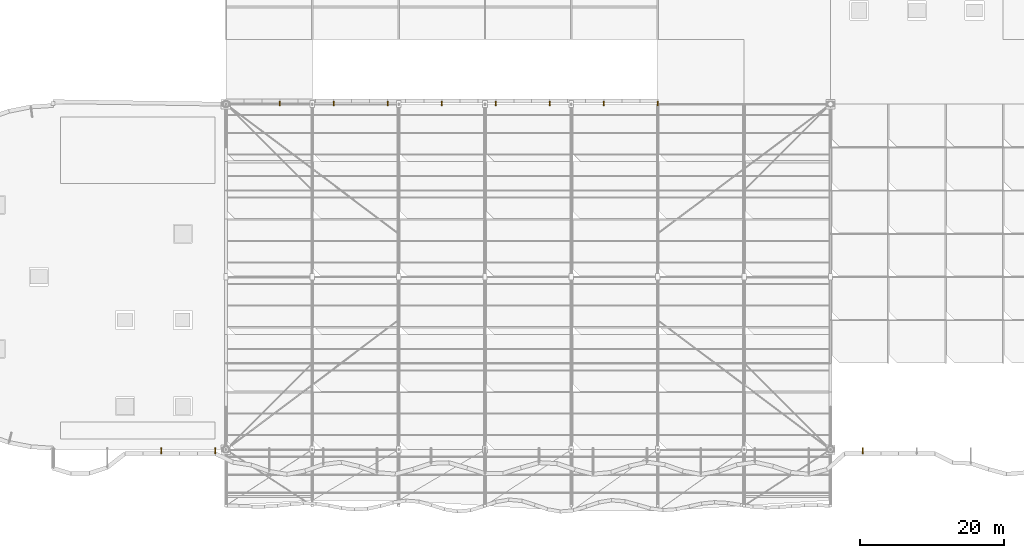
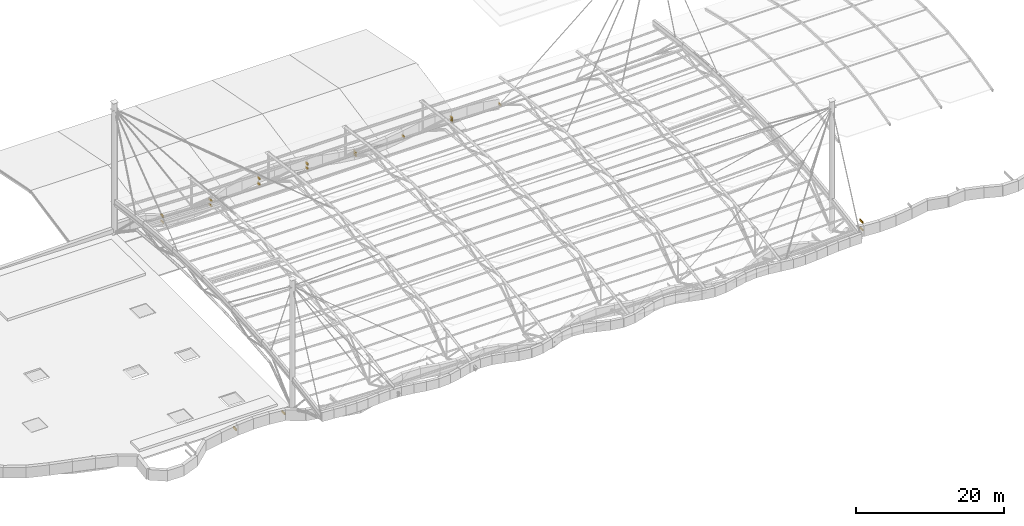
# One storey, part 28 of 29: 18 coverings.
"""IFC4 building model written with IfcOpenShell, lengths in metres."""

from ifc_helpers import new_model, si_unit, direction, frame, frame_2d, origin, place, context, subcontext, project, spatial, rectangle, extrude, material, layer, layer_set, type_object, element, save


model = new_model("IFC4")

# Units and contexts
model_context = context("Model", 3, precision=1e-05, world=origin(), true_north=direction((0.0, 1.0)))
body_context = subcontext(model_context, "Body", "Model", "MODEL_VIEW")
ifc_project = project(units=[si_unit("LENGTHUNIT", "METRE"), si_unit("AREAUNIT", "SQUARE_METRE"), si_unit("VOLUMEUNIT", "CUBIC_METRE"), si_unit("PLANEANGLEUNIT", "RADIAN"), si_unit("MASSUNIT", "GRAM", prefix="KILO")], contexts=[model_context])

# Site, building, storey
site_placement = place(None, origin())
site = spatial("IfcSite", under=ifc_project, at=site_placement, CompositionType="ELEMENT")
building_placement = place(site_placement, origin())
building = spatial("IfcBuilding", under=site, at=building_placement, Name="Keelwater Ferry Terminal", CompositionType="ELEMENT")
storey_placement = place(building_placement, frame((0.0, 0.0, 27.89990234375)))
storey = spatial("IfcBuildingStorey", under=building, at=storey_placement, Name="RF", CompositionType="ELEMENT", Elevation=27.89990234375)

# Coverings
ifc_material = material(Name="Matte white architectural aluminium fascia ribbon", Category="aluminium")
ifc_layer = layer(ifc_material, 0.1201171875)
ifc_layer_set = layer_set([ifc_layer], Name="Matte white architectural aluminium fascia ribbon")
covering_type = type_object("IfcCoveringType", Name="RB-WHT Matte White Fascia Ribbon", PredefinedType="CLADDING", material=ifc_layer_set)
covering_1_placement = place(storey_placement, frame((108.0, 90.419921875, -13.119873046875), z_axis=(0.0, 0.0, 1.0), x_axis=(0.0, -1.0, 0.0)))
element("IfcCovering", 1, at=covering_1_placement, inside=storey, type_object=covering_type, Name="Ribbon Roof Eave Tie Bracket 10", PredefinedType="CLADDING", context=body_context, shape_type="SweptSolid", body=[
    extrude(rectangle(XDim=0.669921875, YDim=0.159912109375, at=frame_2d((0.3349609375, 0.0))), origin(), (0.0, 0.0, 1.0), 0.340087890625),
])
covering_2_placement = place(storey_placement, frame((100.5, 90.419921875, -12.6337890625), z_axis=(0.0, 0.0, 1.0), x_axis=(0.0, -1.0, 0.0)))
element("IfcCovering", 2, at=covering_2_placement, inside=storey, type_object=covering_type, Name="Ribbon Horizontal Tie Bracket 26", PredefinedType="CLADDING", context=body_context, shape_type="SweptSolid", body=[
    extrude(rectangle(XDim=0.669921875, YDim=0.159912109375, at=frame_2d((0.3349609375, 0.0))), origin(), (0.0, 0.0, 1.0), 0.27978515625),
])
for number, where, z_axis, x_axis, name in (
    (3, (100.5, 90.419921875, -13.119873046875), (0.0, 0.0, 1.0), (0.0, -1.0, 0.0), "Ribbon Roof Eave Tie Bracket 29"),
    (4, (93.0, 90.419921875, -13.119873046875), (0.0, 0.0, 1.0), (0.0, -1.0, 0.0), "Ribbon Roof Eave Tie Bracket 48"),
):
    element("IfcCovering", number, at=place(storey_placement, frame(where, z_axis=z_axis, x_axis=x_axis)), inside=storey, type_object=covering_type, Name=name, PredefinedType="CLADDING", context=body_context, shape_type="SweptSolid", body=[
        extrude(rectangle(XDim=0.669921875, YDim=0.159912109375, at=frame_2d((0.3349609375, 0.0))), origin(), (0.0, 0.0, 1.0), 0.340087890625),
    ])
covering_3_placement = place(storey_placement, frame((85.5, 90.419921875, -13.536865234375), z_axis=(0.0, 0.0, 1.0), x_axis=(0.0, -1.0, 0.0)))
element("IfcCovering", 5, at=covering_3_placement, inside=storey, type_object=covering_type, Name="Ribbon Horizontal Tie Bracket 65", PredefinedType="CLADDING", context=body_context, shape_type="SweptSolid", body=[
    extrude(rectangle(XDim=0.669921875, YDim=0.159912109375, at=frame_2d((0.3349609375, 0.0))), origin(), (0.0, 0.0, 1.0), 0.280029296875),
])
covering_4_placement = place(storey_placement, frame((85.5, 90.419921875, -13.119873046875), z_axis=(0.0, 0.0, 1.0), x_axis=(0.0, -1.0, 0.0)))
element("IfcCovering", 6, at=covering_4_placement, inside=storey, type_object=covering_type, Name="Ribbon Roof Eave Tie Bracket 68", PredefinedType="CLADDING", context=body_context, shape_type="SweptSolid", body=[
    extrude(rectangle(XDim=0.669921875, YDim=0.159912109375, at=frame_2d((0.3349609375, 0.0))), origin(), (0.0, 0.0, 1.0), 0.340087890625),
])
covering_5_placement = place(storey_placement, frame((78.0, 90.419921875, -12.3369140625), z_axis=(0.0, 0.0, 1.0), x_axis=(0.0, -1.0, 0.0)))
element("IfcCovering", 7, at=covering_5_placement, inside=storey, type_object=covering_type, Name="Ribbon Horizontal Tie Bracket 83", PredefinedType="CLADDING", context=body_context, shape_type="SweptSolid", body=[
    extrude(rectangle(XDim=0.669921875, YDim=0.159912109375, at=frame_2d((0.3349609375, 0.0))), origin(), (0.0, 0.0, 1.0), 0.280029296875),
])
covering_6_placement = place(storey_placement, frame((78.0, 90.419921875, -13.119873046875), z_axis=(0.0, 0.0, 1.0), x_axis=(0.0, -1.0, 0.0)))
element("IfcCovering", 8, at=covering_6_placement, inside=storey, type_object=covering_type, Name="Ribbon Roof Eave Tie Bracket 86", PredefinedType="CLADDING", context=body_context, shape_type="SweptSolid", body=[
    extrude(rectangle(XDim=0.669921875, YDim=0.159912109375, at=frame_2d((0.3349609375, 0.0))), origin(), (0.0, 0.0, 1.0), 0.340087890625),
])
covering_7_placement = place(storey_placement, frame((70.5, 90.419921875, -12.101806640625), z_axis=(0.0, 0.0, 1.0), x_axis=(0.0, -1.0, 0.0)))
element("IfcCovering", 9, at=covering_7_placement, inside=storey, type_object=covering_type, Name="Ribbon Horizontal Tie Bracket 102", PredefinedType="CLADDING", context=body_context, shape_type="SweptSolid", body=[
    extrude(rectangle(XDim=0.669921875, YDim=0.159912109375, at=frame_2d((0.3349609375, 0.0))), origin(), (0.0, 0.0, 1.0), 0.27978515625),
])
covering_8_placement = place(storey_placement, frame((70.5, 90.419921875, -13.119873046875), z_axis=(0.0, 0.0, 1.0), x_axis=(0.0, -1.0, 0.0)))
element("IfcCovering", 10, at=covering_8_placement, inside=storey, type_object=covering_type, Name="Ribbon Roof Eave Tie Bracket 105", PredefinedType="CLADDING", context=body_context, shape_type="SweptSolid", body=[
    extrude(rectangle(XDim=0.669921875, YDim=0.159912109375, at=frame_2d((0.3349609375, 0.0))), origin(), (0.0, 0.0, 1.0), 0.340087890625),
])
covering_9_placement = place(storey_placement, frame((63.0, 90.419921875, -13.969970703125), z_axis=(0.0, 0.0, 1.0), x_axis=(0.0, -1.0, 0.0)))
element("IfcCovering", 11, at=covering_9_placement, inside=storey, type_object=covering_type, Name="Ribbon Horizontal Tie Bracket 121", PredefinedType="CLADDING", context=body_context, shape_type="SweptSolid", body=[
    extrude(rectangle(XDim=0.669921875, YDim=0.159912109375, at=frame_2d((0.3349609375, 0.0))), origin(), (0.0, 0.0, 1.0), 0.280029296875),
])
covering_10_placement = place(storey_placement, frame((63.0, 90.419921875, -13.119873046875), z_axis=(0.0, 0.0, 1.0), x_axis=(0.0, -1.0, 0.0)))
element("IfcCovering", 12, at=covering_10_placement, inside=storey, type_object=covering_type, Name="Ribbon Roof Eave Tie Bracket 124", PredefinedType="CLADDING", context=body_context, shape_type="SweptSolid", body=[
    extrude(rectangle(XDim=0.669921875, YDim=0.159912109375, at=frame_2d((0.3349609375, 0.0))), origin(), (0.0, 0.0, 1.0), 0.340087890625),
])
covering_11_placement = place(storey_placement, frame((55.5, 90.419921875, -14.044921875), z_axis=(0.0, 0.0, 1.0), x_axis=(0.0, -1.0, 0.0)))
element("IfcCovering", 13, at=covering_11_placement, inside=storey, type_object=covering_type, Name="Ribbon Horizontal Tie Bracket 141", PredefinedType="CLADDING", context=body_context, shape_type="SweptSolid", body=[
    extrude(rectangle(XDim=0.669921875, YDim=0.159912109375, at=frame_2d((0.3349609375, 0.0))), origin(), (0.0, 0.0, 1.0), 0.280029296875),
])
covering_12_placement = place(storey_placement, frame((55.5, 90.419921875, -13.119873046875), z_axis=(0.0, 0.0, 1.0), x_axis=(0.0, -1.0, 0.0)))
element("IfcCovering", 14, at=covering_12_placement, inside=storey, type_object=covering_type, Name="Ribbon Roof Eave Tie Bracket 144", PredefinedType="CLADDING", context=body_context, shape_type="SweptSolid", body=[
    extrude(rectangle(XDim=0.669921875, YDim=0.159912109375, at=frame_2d((0.3349609375, 0.0))), origin(), (0.0, 0.0, 1.0), 0.340087890625),
])
for number, where, z_axis, x_axis, name in (
    (15, (39.0, 41.449951171875, -13.119873046875), (0.0, 0.0, 1.0), (0.0, 1.0, 0.0), "Ribbon Roof Eave Tie Bracket 345"),
    (16, (46.5, 41.449951171875, -13.119873046875), (0.0, 0.0, 1.0), (0.0, 1.0, 0.0), "Ribbon Roof Eave Tie Bracket 353"),
):
    element("IfcCovering", number, at=place(storey_placement, frame(where, z_axis=z_axis, x_axis=x_axis)), inside=storey, type_object=covering_type, Name=name, PredefinedType="CLADDING", context=body_context, shape_type="SweptSolid", body=[
        extrude(rectangle(XDim=0.800048828125, YDim=0.159912109375, at=frame_2d((0.39990234375, 0.0))), origin(), (0.0, 0.0, 1.0), 0.340087890625),
    ])
covering_13_placement = place(storey_placement, frame((136.5, 41.449951171875, -14.344970703125), z_axis=(0.0, 0.0, 1.0), x_axis=(0.0, 1.0, 0.0)))
element("IfcCovering", 17, at=covering_13_placement, inside=storey, type_object=covering_type, Name="Ribbon Horizontal Tie Bracket 561", PredefinedType="CLADDING", context=body_context, shape_type="SweptSolid", body=[
    extrude(rectangle(XDim=0.800048828125, YDim=0.159912109375, at=frame_2d((0.39990234375, 0.0))), origin(), (0.0, 0.0, 1.0), 0.280029296875),
])
covering_14_placement = place(storey_placement, frame((136.5, 41.449951171875, -13.119873046875), z_axis=(0.0, 0.0, 1.0), x_axis=(0.0, 1.0, 0.0)))
element("IfcCovering", 18, at=covering_14_placement, inside=storey, type_object=covering_type, Name="Ribbon Roof Eave Tie Bracket 563", PredefinedType="CLADDING", context=body_context, shape_type="SweptSolid", body=[
    extrude(rectangle(XDim=0.800048828125, YDim=0.159912109375, at=frame_2d((0.39990234375, 0.0))), origin(), (0.0, 0.0, 1.0), 0.340087890625),
])

save(model, "model.ifc")
